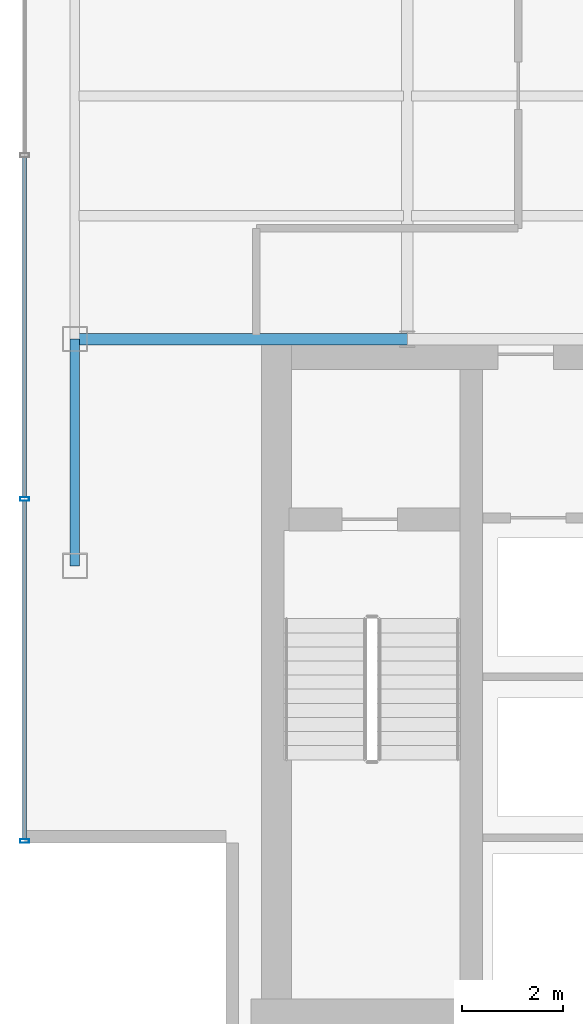
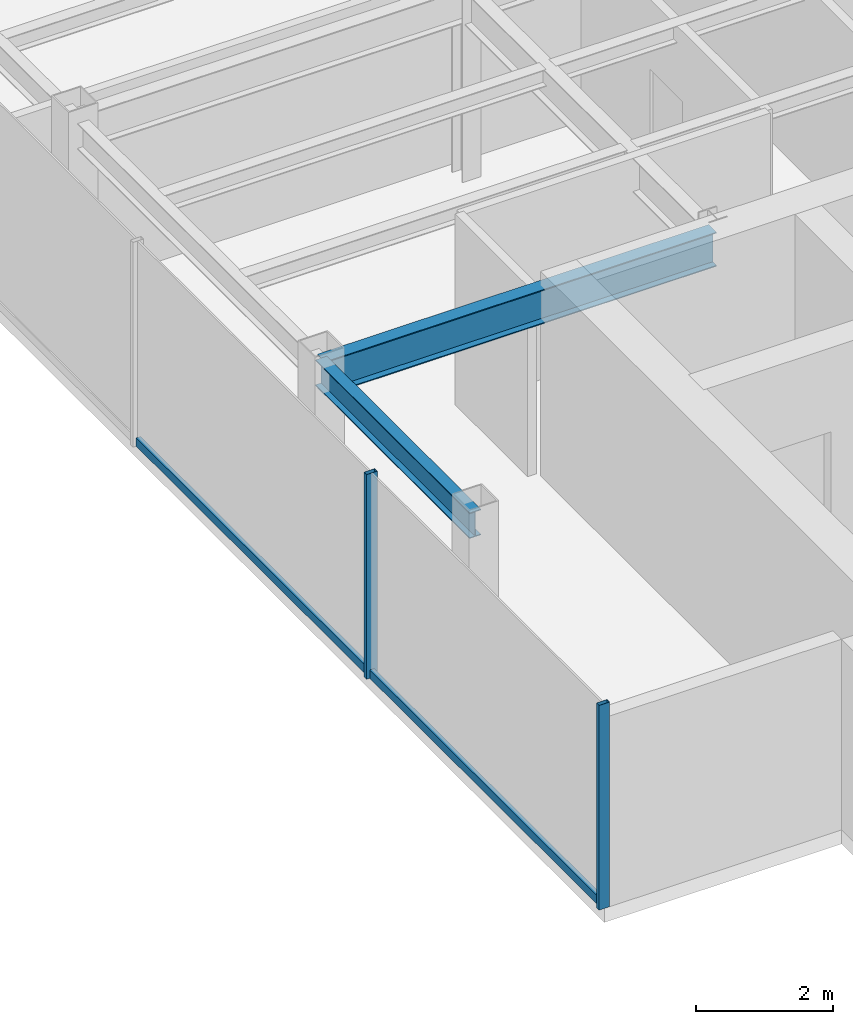
# One storey, part 3 of 22: 4 members, 2 beams, 1 element without a shape of its own.
"""IFC4 building model written with IfcOpenShell, lengths in metres."""

from ifc_helpers import new_model, si_unit, derived_unit, direction, frame, origin, origin_2d, place, context, subcontext, project, spatial, hollow_rectangle, i_section, extrude, source, transform, mapped, material, material_profile, profile_set, type_object, element, aggregate, save


model = new_model("IFC4")

# Units and contexts
model_context = context("Model", 3, precision=1e-05, world=origin(), true_north=direction((0.0, 1.0)))
body_context = subcontext(model_context, "Body", "Model", "MODEL_VIEW")
ifc_project = project(units=[si_unit("LENGTHUNIT", "METRE"), si_unit("AREAUNIT", "SQUARE_METRE"), si_unit("VOLUMEUNIT", "CUBIC_METRE"), si_unit("PLANEANGLEUNIT", "RADIAN"), si_unit("MASSUNIT", "GRAM", prefix="KILO"), derived_unit("THERMALTRANSMITTANCEUNIT", [(si_unit("POWERUNIT", "WATT"), 1), (si_unit("LENGTHUNIT", "METRE"), -2), (si_unit("THERMODYNAMICTEMPERATUREUNIT", "KELVIN"), -1)])], contexts=[model_context])

# Site, building, storey
site_placement = place(None, origin())
site = spatial("IfcSite", under=ifc_project, at=site_placement, CompositionType="ELEMENT")
building_placement = place(site_placement, origin())
building = spatial("IfcBuilding", under=site, at=building_placement, Name="Skarnbrae Concourse Arena and Tower", CompositionType="ELEMENT")
storey_placement = place(building_placement, frame((0.0, 0.0, 277.050048828125)))
storey = spatial("IfcBuildingStorey", under=building, at=storey_placement, Name="L72", CompositionType="ELEMENT", Elevation=277.050048828125)

# Beams
ifc_material_1 = material(Name="Steel CSA G40.21 350W", Category="steel")
ifc_material_profile_1 = material_profile(ifc_material_1, i_section(OverallWidth=0.22802734375, OverallDepth=0.60791015625, WebThickness=0.01123046875, FlangeThickness=0.017333984375, at=origin_2d()), Name="W610X113")
ifc_profile_set_1 = profile_set([ifc_material_profile_1], Name="Steel CSA G40.21 350W")
beam_type_1 = type_object("IfcBeamType", Name="BM-GIRD-W610X113", PredefinedType="BEAM", material=ifc_profile_set_1)
shared_shape_1 = source(origin(), body_context, "Body", "SweptSolid", [
    extrude(i_section(OverallWidth=0.22802734375, OverallDepth=0.60791015625, WebThickness=0.01123046875, FlangeThickness=0.017333984375, at=origin_2d()), origin(), (0.0, 0.0, 1.0), 6.60009765625),
])
beam_1_placement = place(storey_placement, frame((1.0, 14.0, 3.095947265625), z_axis=(1.0, 0.0, 0.0), x_axis=(0.0, 1.0, 0.0)))
element("IfcBeam", 1, at=beam_1_placement, inside=storey, type_object=beam_type_1, Name="L72 Primary E-W girder Y14.0-1", PredefinedType="BEAM", context=body_context, shape_type="MappedRepresentation", body=[
    mapped(shared_shape_1, transform((0.0, 0.0, 0.0))),
])
ifc_material_profile_2 = material_profile(ifc_material_1, i_section(OverallWidth=0.19091796875, OverallDepth=0.4599609375, WebThickness=0.010009765625, FlangeThickness=0.01611328125, at=origin_2d()), Name="W460X82")
ifc_profile_set_2 = profile_set([ifc_material_profile_2], Name="Steel CSA G40.21 350W")
beam_type_2 = type_object("IfcBeamType", Name="BM-SPAN-W460X82", PredefinedType="SPANDREL", material=ifc_profile_set_2)
shared_shape_2 = source(origin(), body_context, "Body", "SweptSolid", [
    extrude(i_section(OverallWidth=0.19091796875, OverallDepth=0.4599609375, WebThickness=0.010009765625, FlangeThickness=0.01611328125, at=origin_2d()), origin(), (0.0, 0.0, 1.0), 4.5),
])
beam_2_placement = place(storey_placement, frame((1.0, 9.5, 3.169921875), z_axis=(0.0, 1.0, 0.0), x_axis=(-1.0, 0.0, 0.0)))
element("IfcBeam", 2, at=beam_2_placement, inside=storey, type_object=beam_type_2, Name="L72 Perimeter spandrel X1.0-1", PredefinedType="SPANDREL", context=body_context, shape_type="MappedRepresentation", body=[
    mapped(shared_shape_2, transform((0.0, 0.0, 0.0))),
])

# Curtain wall, members
ifc_material_2 = material(Name="Bronze anodised aluminium 6063-T6", Category="aluminium")
curtain_wall_type = type_object("IfcCurtainWallType", Name="CW-SYS-05-HIGHZONE", PredefinedType="USERDEFINED", material=ifc_material_2)
curtain_wall_placement = place(storey_placement, origin())
curtain_wall = element("IfcCurtainWall", 3, at=curtain_wall_placement, inside=storey, type_object=curtain_wall_type, Name="L72 Unitised curtain wall CW-L72-E18", ObjectType="UNITISED CURTAIN WALL", PredefinedType="USERDEFINED")
ifc_material_profile_3 = material_profile(ifc_material_2, hollow_rectangle(XDim=0.074951171875, YDim=0.179931640625, WallThickness=0.00390625, at=origin_2d()), Name="ALU-MULL-75X180")
ifc_profile_set_3 = profile_set([ifc_material_profile_3], Name="Bronze anodised aluminium 6063-T6")
member_type_1 = type_object("IfcMemberType", Name="CWM-CW-05", PredefinedType="MULLION", material=ifc_profile_set_3)
shared_shape_3 = source(origin(), body_context, "Body", "SweptSolid", [
    extrude(hollow_rectangle(XDim=0.074951171875, YDim=0.179931640625, WallThickness=0.00390625, at=origin_2d()), origin(), (0.0, 0.0, 1.0), 3.64990234375),
])
member_1_placement = place(storey_placement, frame((0.0, 10.824951171875, 0.0), z_axis=(0.0, 0.0, 1.0), x_axis=(0.0, -1.0, 0.0)))
member_1 = element("IfcMember", 4, at=member_1_placement, type_object=member_type_1, Name="CW-L72-E18 Mullion 4", PredefinedType="MULLION", context=body_context, shape_type="MappedRepresentation", body=[
    mapped(shared_shape_3, transform((0.0, 0.0, 0.0))),
])
member_2_placement = place(storey_placement, frame((0.0, 4.03759765625, 0.0), z_axis=(0.0, 0.0, 1.0), x_axis=(0.0, -1.0, 0.0)))
member_2 = element("IfcMember", 5, at=member_2_placement, type_object=member_type_1, Name="CW-L72-E18 Mullion 5", PredefinedType="MULLION", context=body_context, shape_type="MappedRepresentation", body=[
    mapped(shared_shape_3, transform((0.0, 0.0, 0.0))),
])
ifc_material_profile_4 = material_profile(ifc_material_2, hollow_rectangle(XDim=0.074951171875, YDim=0.14990234375, WallThickness=0.00390625, at=origin_2d()), Name="ALU-TRAN-75X150")
ifc_profile_set_4 = profile_set([ifc_material_profile_4], Name="Bronze anodised aluminium 6063-T6")
member_type_2 = type_object("IfcMemberType", Name="CWT-CW-05", PredefinedType="USERDEFINED", material=ifc_profile_set_4)
shared_shape_4 = source(origin(), body_context, "Body", "SweptSolid", [
    extrude(hollow_rectangle(XDim=0.074951171875, YDim=0.14990234375, WallThickness=0.00390625, at=origin_2d()), origin(), (0.0, 0.0, 1.0), 6.712646484375),
])
member_3_placement = place(storey_placement, frame((0.0, 10.78759765625, 0.074951171875), z_axis=(0.0, -1.0, 0.0), x_axis=(1.0, 0.0, 0.0)))
member_3 = element("IfcMember", 6, at=member_3_placement, type_object=member_type_2, Name="CW-L72-E18 Transom 4", ObjectType="TRANSOM", PredefinedType="USERDEFINED", context=body_context, shape_type="MappedRepresentation", body=[
    mapped(shared_shape_4, transform((0.0, 0.0, 0.0))),
])
shared_shape_5 = source(origin(), body_context, "Body", "SweptSolid", [
    extrude(hollow_rectangle(XDim=0.074951171875, YDim=0.14990234375, WallThickness=0.00390625, at=origin_2d()), origin(), (0.0, 0.0, 1.0), 6.75),
])
member_4_placement = place(storey_placement, frame((0.0, 17.612548828125, 0.074951171875), z_axis=(0.0, -1.0, 0.0), x_axis=(1.0, 0.0, 0.0)))
member_4 = element("IfcMember", 7, at=member_4_placement, type_object=member_type_2, Name="CW-L72-E18 Transom 3", ObjectType="TRANSOM", PredefinedType="USERDEFINED", context=body_context, shape_type="MappedRepresentation", body=[
    mapped(shared_shape_5, transform((0.0, 0.0, 0.0))),
])
aggregate(curtain_wall, [member_1, member_2, member_4, member_3])

save(model, "model.ifc")
